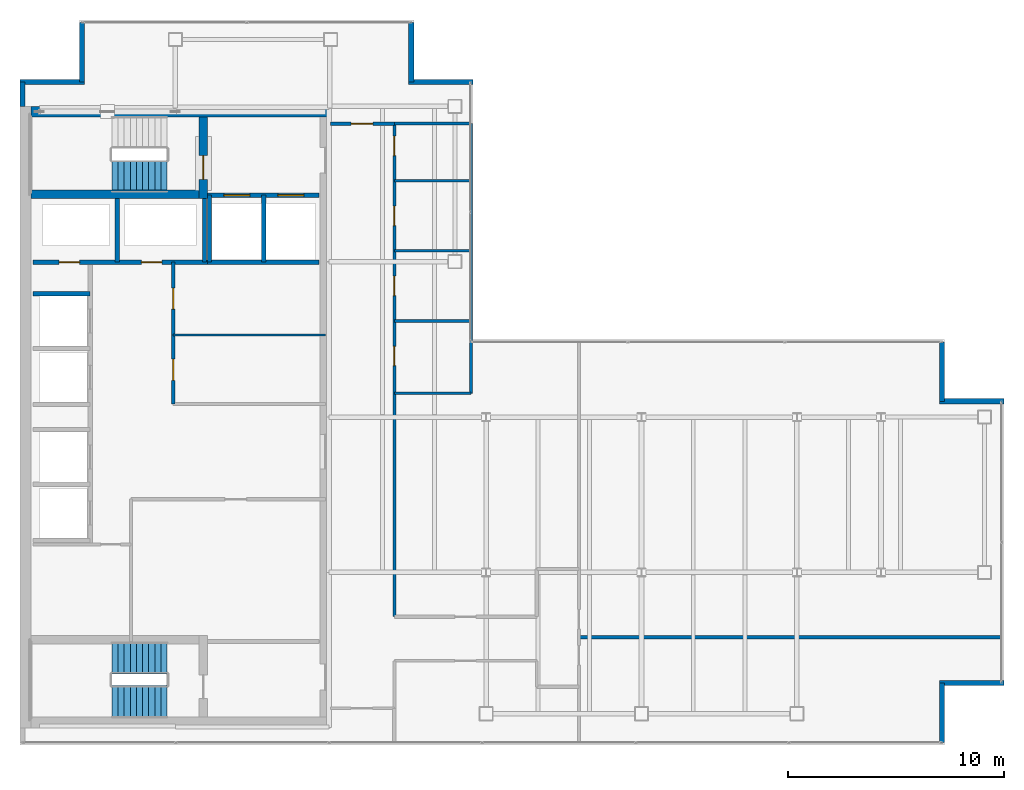
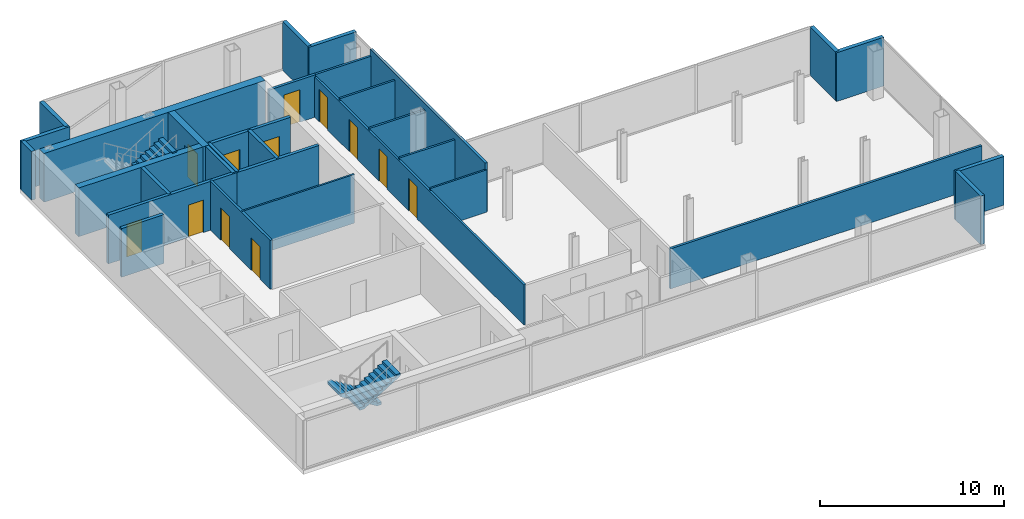
# One storey, part 22 of 24: 31 walls, 12 doors, 3 stair flights, 12 openings, 2 elements without a shape of their own.
"""IFC4 building model written with IfcOpenShell, lengths in metres."""

from ifc_helpers import new_model, si_unit, direction, frame, frame_2d, origin, place, context, subcontext, project, spatial, polyline, rectangle, outline, extrude, material, layer, layer_set, type_object, element, fill, aggregate, save


model = new_model("IFC4")

# Units and contexts
model_context = context("Model", 3, precision=1e-05, world=origin(), true_north=direction((0.0, 1.0)))
body_context = subcontext(model_context, "Body", "Model", "MODEL_VIEW")
ifc_project = project(units=[si_unit("LENGTHUNIT", "METRE"), si_unit("AREAUNIT", "SQUARE_METRE"), si_unit("VOLUMEUNIT", "CUBIC_METRE"), si_unit("PLANEANGLEUNIT", "RADIAN"), si_unit("MASSUNIT", "GRAM", prefix="KILO")], contexts=[model_context])

# Site, building, storey
site_placement = place(None, origin())
site = spatial("IfcSite", under=ifc_project, at=site_placement, CompositionType="ELEMENT")
building_placement = place(site_placement, origin())
building = spatial("IfcBuilding", under=site, at=building_placement, Name="Cobrela Telecom Tower", CompositionType="ELEMENT")
storey_placement = place(building_placement, frame((0.0, 0.0, 248.14990234375)))
storey = spatial("IfcBuildingStorey", under=building, at=storey_placement, Name="L64", CompositionType="ELEMENT", Elevation=248.14990234375)

# Walls
ifc_material_1 = material(Name="Concrete C40/50", Category="concrete")
ifc_layer_1 = layer(ifc_material_1, 0.5)
ifc_layer_set_1 = layer_set([ifc_layer_1], Name="Concrete C40/50")
wall_type_1 = type_object("IfcWallType", Name="WALL-CORE-C40-500", PredefinedType="SHEAR", material=ifc_layer_set_1)
wall_1_placement = place(storey_placement, frame((0.5, 35.75, 0.0), z_axis=(0.0, 0.0, 1.0), x_axis=(1.0, 0.0, 0.0)))
element("IfcWall", 1, at=wall_1_placement, inside=storey, type_object=wall_type_1, Name="L64 North Core Shear Wall", PredefinedType="SHEAR", context=body_context, shape_type="SweptSolid", body=[
    extrude(rectangle(XDim=13.89990234375, YDim=0.5, at=frame_2d((6.949951171875, 0.0))), origin(), (0.0, 0.0, 1.0), 3.239990234375),
])
ifc_layer_2 = layer(ifc_material_1, 0.239990234375)
ifc_layer_set_2 = layer_set([ifc_layer_2], Name="Concrete C40/50")
wall_type_2 = type_object("IfcWallType", Name="WALL-EXT-300", PredefinedType="STANDARD", material=ifc_layer_set_2)
wall_2_placement = place(storey_placement, frame((0.1201171875, 36.0, 0.0), z_axis=(0.0, 0.0, 1.0), x_axis=(0.0, 1.0, 0.0)))
element("IfcWall", 2, at=wall_2_placement, inside=storey, type_object=wall_type_2, Name="L64 Insulated Facade Wall 02", PredefinedType="STANDARD", context=body_context, shape_type="SweptSolid", body=[
    extrude(rectangle(XDim=1.1298828125, YDim=0.239990234375, at=frame_2d((0.56494140625, 0.0))), origin(), (0.0, 0.0, 1.0), 3.239990234375),
])
wall_3_placement = place(storey_placement, frame((0.0, 37.1298828125, 0.0), z_axis=(0.0, 0.0, 1.0), x_axis=(1.0, 0.0, 0.0)))
element("IfcWall", 3, at=wall_3_placement, inside=storey, type_object=wall_type_2, Name="L64 Insulated Facade Wall 03", PredefinedType="STANDARD", context=body_context, shape_type="SweptSolid", body=[
    extrude(rectangle(XDim=2.989990234375, YDim=0.239990234375, at=frame_2d((1.4951171875, 0.0))), origin(), (0.0, 0.0, 1.0), 3.239990234375),
])
for number, where, z_axis, x_axis, name in (
    (4, (2.8701171875, 37.1298828125, 0.0), (0.0, 0.0, 1.0), (0.0, 1.0, 0.0), "L64 Insulated Facade Wall 04"),
    (5, (18.1298828125, 39.8798828125, 0.0), (0.0, 0.0, 1.0), (0.0, -1.0, 0.0), "L64 Insulated Facade Wall 06"),
):
    element("IfcWall", number, at=place(storey_placement, frame(where, z_axis=z_axis, x_axis=x_axis)), inside=storey, type_object=wall_type_2, Name=name, PredefinedType="STANDARD", context=body_context, shape_type="SweptSolid", body=[
        extrude(rectangle(XDim=2.75, YDim=0.239990234375, at=frame_2d((1.375, 0.0))), origin(), (0.0, 0.0, 1.0), 3.239990234375),
    ])
wall_4_placement = place(storey_placement, frame((18.010009765625, 37.1298828125, 0.0), z_axis=(0.0, 0.0, 1.0), x_axis=(1.0, 0.0, 0.0)))
element("IfcWall", 6, at=wall_4_placement, inside=storey, type_object=wall_type_2, Name="L64 Insulated Facade Wall 07", PredefinedType="STANDARD", context=body_context, shape_type="SweptSolid", body=[
    extrude(rectangle(XDim=2.989990234375, YDim=0.239990234375, at=frame_2d((1.4951171875, 0.0))), origin(), (0.0, 0.0, 1.0), 3.239990234375),
])
wall_5_placement = place(storey_placement, frame((42.72998046875, 25.080078125, 0.0), z_axis=(0.0, 0.0, 1.0), x_axis=(0.0, -1.0, 0.0)))
element("IfcWall", 7, at=wall_5_placement, inside=storey, type_object=wall_type_2, Name="L64 Insulated Facade Wall 10", PredefinedType="STANDARD", context=body_context, shape_type="SweptSolid", body=[
    extrude(rectangle(XDim=2.75, YDim=0.239990234375, at=frame_2d((1.375, 0.0))), origin(), (0.0, 0.0, 1.0), 3.239990234375),
])
for number, where, z_axis, x_axis, name in (
    (8, (42.610107421875, 22.330078125, 0.0), (0.0, 0.0, 1.0), (1.0, 0.0, 0.0), "L64 Insulated Facade Wall 11"),
    (9, (45.60009765625, 9.27001953125, 0.0), (0.0, 0.0, 1.0), (-1.0, 0.0, 0.0), "L64 Insulated Facade Wall 13"),
):
    element("IfcWall", number, at=place(storey_placement, frame(where, z_axis=z_axis, x_axis=x_axis)), inside=storey, type_object=wall_type_2, Name=name, PredefinedType="STANDARD", context=body_context, shape_type="SweptSolid", body=[
        extrude(rectangle(XDim=2.989990234375, YDim=0.239990234375, at=frame_2d((1.4951171875, 0.0))), origin(), (0.0, 0.0, 1.0), 3.239990234375),
    ])
wall_6_placement = place(storey_placement, frame((42.72998046875, 9.27001953125, 0.0), z_axis=(0.0, 0.0, 1.0), x_axis=(0.0, -1.0, 0.0)))
element("IfcWall", 10, at=wall_6_placement, inside=storey, type_object=wall_type_2, Name="L64 Insulated Facade Wall 14", PredefinedType="STANDARD", context=body_context, shape_type="SweptSolid", body=[
    extrude(rectangle(XDim=2.75, YDim=0.239990234375, at=frame_2d((1.375, 0.0))), origin(), (0.0, 0.0, 1.0), 3.239990234375),
])
ifc_material_2 = material(Name="Fire-Rated Gypsum Plasterboard")
ifc_layer_3 = layer(ifc_material_2, 0.110107421875)
ifc_layer_set_3 = layer_set([ifc_layer_3], Name="Fire-Rated Gypsum Plasterboard")
wall_type_3 = type_object("IfcWallType", Name="WALL-PART-110", PredefinedType="PARTITIONING", material=ifc_layer_set_3)
wall_7_placement = place(storey_placement, frame((7.10009765625, 25.39990234375, 0.0), z_axis=(0.0, 0.0, 1.0), x_axis=(1.0, 0.0, 0.0)))
element("IfcWall", 11, at=wall_7_placement, inside=storey, type_object=wall_type_3, Name="L64 Interior Partition CW-RECL-H", PredefinedType="PARTITIONING", context=body_context, shape_type="SweptSolid", body=[
    extrude(rectangle(XDim=7.0498046875, YDim=0.110107421875, at=frame_2d((3.52490234375, 0.0))), origin(), (0.0, 0.0, 1.0), 3.239990234375),
])
wall_8_placement = place(storey_placement, frame((17.35009765625, 22.699951171875, 0.0), z_axis=(0.0, 0.0, 1.0), x_axis=(1.0, 0.0, 0.0)))
element("IfcWall", 12, at=wall_8_placement, inside=storey, type_object=wall_type_3, Name="L64 Interior Partition W-WC-S", PredefinedType="PARTITIONING", context=body_context, shape_type="SweptSolid", body=[
    extrude(rectangle(XDim=3.5498046875, YDim=0.110107421875, at=frame_2d((1.77490234375, 0.0))), origin(), (0.0, 0.0, 1.0), 2.80810546875),
])
ifc_layer_4 = layer(ifc_material_2, 0.125)
ifc_layer_set_4 = layer_set([ifc_layer_4], Name="Fire-Rated Gypsum Plasterboard")
wall_type_4 = type_object("IfcWallType", Name="WALL-PART-125", PredefinedType="PARTITIONING", material=ifc_layer_set_4)
for number, where, z_axis, x_axis, name in (
    (13, (17.35009765625, 26.050048828125, 0.0), (0.0, 0.0, 1.0), (1.0, 0.0, 0.0), "L64 Interior Partition W-WCD-1"),
    (14, (17.35009765625, 29.300048828125, 0.0), (0.0, 0.0, 1.0), (1.0, 0.0, 0.0), "L64 Interior Partition W-WCD-2"),
    (15, (17.35009765625, 32.550048828125, 0.0), (0.0, 0.0, 1.0), (1.0, 0.0, 0.0), "L64 Interior Partition W-WCD-3"),
):
    element("IfcWall", number, at=place(storey_placement, frame(where, z_axis=z_axis, x_axis=x_axis)), inside=storey, type_object=wall_type_4, Name=name, PredefinedType="PARTITIONING", context=body_context, shape_type="SweptSolid", body=[
        extrude(rectangle(XDim=3.5498046875, YDim=0.125, at=frame_2d((1.77490234375, 0.0))), origin(), (0.0, 0.0, 1.0), 2.80810546875),
    ])

# Wall, openings, doors
ifc_layer_5 = layer(ifc_material_2, 0.135009765625)
ifc_layer_set_5 = layer_set([ifc_layer_5], Name="Fire-Rated Gypsum Plasterboard")
wall_type_5 = type_object("IfcWallType", Name="WALL-PART-135", PredefinedType="PARTITIONING", material=ifc_layer_set_5)
wall_9_placement = place(storey_placement, frame((17.35009765625, 12.35009765625, 0.0), z_axis=(0.0, 0.0, 1.0), x_axis=(0.0, 1.0, 0.0)))
wall_9 = element("IfcWall", 16, at=wall_9_placement, inside=storey, type_object=wall_type_5, Name="L64 Interior Partition W-C-E2", PredefinedType="PARTITIONING", context=body_context, shape_type="SweptSolid", body=[
    extrude(rectangle(XDim=22.849853515625, YDim=0.135009765625, at=frame_2d((11.4248046875, 0.0))), origin(), (0.0, 0.0, 1.0), 2.676025390625),
])
opening_1_placement = place(wall_9_placement, frame((11.6298828125, 0.0, 0.0)))
opening_1 = element("IfcOpeningElement", 17, at=opening_1_placement, cuts=wall_9, Name="Opening DR-41", PredefinedType="OPENING", context=body_context, shape_type="SweptSolid", body=[
    extrude(rectangle(XDim=0.89990234375, YDim=2.14990234375, at=frame_2d((0.449951171875, 1.074951171875))), frame((0.0, 0.07958984375, 0.0), z_axis=(0.0, -1.0, 0.0), x_axis=(1.0, 0.0, 0.0)), (0.0, 0.0, 1.0), 0.158935546875),
])
opening_2_placement = place(wall_9_placement, frame((14.8798828125, 0.0, 0.0)))
opening_2 = element("IfcOpeningElement", 18, at=opening_2_placement, cuts=wall_9, Name="Opening DR-41", PredefinedType="OPENING", context=body_context, shape_type="SweptSolid", body=[
    extrude(rectangle(XDim=0.89990234375, YDim=2.14990234375, at=frame_2d((0.449951171875, 1.074951171875))), frame((0.0, 0.07958984375, 0.0), z_axis=(0.0, -1.0, 0.0), x_axis=(1.0, 0.0, 0.0)), (0.0, 0.0, 1.0), 0.158935546875),
])
opening_3_placement = place(wall_9_placement, frame((18.1201171875, 0.0, 0.0)))
opening_3 = element("IfcOpeningElement", 19, at=opening_3_placement, cuts=wall_9, Name="Opening DR-41", PredefinedType="OPENING", context=body_context, shape_type="SweptSolid", body=[
    extrude(rectangle(XDim=0.89990234375, YDim=2.14990234375, at=frame_2d((0.449951171875, 1.074951171875))), frame((0.0, 0.07958984375, 0.0), z_axis=(0.0, -1.0, 0.0), x_axis=(1.0, 0.0, 0.0)), (0.0, 0.0, 1.0), 0.158935546875),
])
opening_4_placement = place(wall_9_placement, frame((21.3701171875, 0.0, 0.0)))
opening_4 = element("IfcOpeningElement", 20, at=opening_4_placement, cuts=wall_9, Name="Opening DR-41", PredefinedType="OPENING", context=body_context, shape_type="SweptSolid", body=[
    extrude(rectangle(XDim=0.89990234375, YDim=2.14990234375, at=frame_2d((0.449951171875, 1.074951171875))), frame((0.0, 0.07958984375, 0.0), z_axis=(0.0, -1.0, 0.0), x_axis=(1.0, 0.0, 0.0)), (0.0, 0.0, 1.0), 0.158935546875),
])
ifc_material_3 = material(Name="Solid Engineered Oak Timber", Category="wood")
door_type_1 = type_object("IfcDoorType", Name="DOOR-INT-900", OperationType="SINGLE_SWING_LEFT", PredefinedType="DOOR", material=ifc_material_3)
door_1_placement = place(opening_1_placement, origin())
door_1 = element("IfcDoor", 21, at=door_1_placement, inside=storey, type_object=door_type_1, Name="L64 Door DR-41", OperationType="SINGLE_SWING_LEFT", OverallHeight=2.14990234375, OverallWidth=0.89990234375, PredefinedType="DOOR", context=body_context, shape_type="SweptSolid", body=[
    extrude(rectangle(XDim=0.89990234375, YDim=2.14990234375, at=frame_2d((0.449951171875, 1.074951171875))), frame((0.0, 0.02490234375, 0.0), z_axis=(0.0, -1.0, 0.0), x_axis=(1.0, 0.0, 0.0)), (0.0, 0.0, 1.0), 0.050048828125),
])
fill(opening_1, door_1)
door_2_placement = place(opening_2_placement, origin())
door_2 = element("IfcDoor", 22, at=door_2_placement, inside=storey, type_object=door_type_1, Name="L64 Door DR-41", OperationType="SINGLE_SWING_RIGHT", OverallHeight=2.14990234375, OverallWidth=0.89990234375, PredefinedType="DOOR", context=body_context, shape_type="SweptSolid", body=[
    extrude(rectangle(XDim=0.89990234375, YDim=2.14990234375, at=frame_2d((0.449951171875, 1.074951171875))), frame((0.0, 0.02490234375, 0.0), z_axis=(0.0, -1.0, 0.0), x_axis=(1.0, 0.0, 0.0)), (0.0, 0.0, 1.0), 0.050048828125),
])
fill(opening_2, door_2)
door_3_placement = place(opening_3_placement, origin())
door_3 = element("IfcDoor", 23, at=door_3_placement, inside=storey, type_object=door_type_1, Name="L64 Door DR-41", OperationType="SINGLE_SWING_LEFT", OverallHeight=2.14990234375, OverallWidth=0.89990234375, PredefinedType="DOOR", context=body_context, shape_type="SweptSolid", body=[
    extrude(rectangle(XDim=0.89990234375, YDim=2.14990234375, at=frame_2d((0.449951171875, 1.074951171875))), frame((0.0, 0.02490234375, 0.0), z_axis=(0.0, -1.0, 0.0), x_axis=(1.0, 0.0, 0.0)), (0.0, 0.0, 1.0), 0.050048828125),
])
fill(opening_3, door_3)
door_4_placement = place(opening_4_placement, origin())
door_4 = element("IfcDoor", 24, at=door_4_placement, inside=storey, type_object=door_type_1, Name="L64 Door DR-41", OperationType="SINGLE_SWING_RIGHT", OverallHeight=2.14990234375, OverallWidth=0.89990234375, PredefinedType="DOOR", context=body_context, shape_type="SweptSolid", body=[
    extrude(rectangle(XDim=0.89990234375, YDim=2.14990234375, at=frame_2d((0.449951171875, 1.074951171875))), frame((0.0, 0.02490234375, 0.0), z_axis=(0.0, -1.0, 0.0), x_axis=(1.0, 0.0, 0.0)), (0.0, 0.0, 1.0), 0.050048828125),
])
fill(opening_4, door_4)

# Wall
wall_10_placement = place(storey_placement, frame((17.35009765625, 35.199951171875, 0.0), z_axis=(0.0, 0.0, 1.0), x_axis=(1.0, 0.0, 0.0)))
element("IfcWall", 25, at=wall_10_placement, inside=storey, type_object=wall_type_5, Name="L64 Interior Partition W-NW-S", PredefinedType="PARTITIONING", context=body_context, shape_type="SweptSolid", body=[
    extrude(rectangle(XDim=3.52978515625, YDim=0.135009765625, at=frame_2d((1.764892578125, 0.0))), origin(), (0.0, 0.0, 1.0), 2.80810546875),
])

# Wall, openings, doors
ifc_layer_6 = layer(ifc_material_2, 0.14990234375)
ifc_layer_set_6 = layer_set([ifc_layer_6], Name="Fire-Rated Gypsum Plasterboard")
wall_type_6 = type_object("IfcWallType", Name="WALL-PART-150", PredefinedType="PARTITIONING", material=ifc_layer_set_6)
wall_11_placement = place(storey_placement, frame((7.10009765625, 22.199951171875, 0.0), z_axis=(0.0, 0.0, 1.0), x_axis=(0.0, 1.0, 0.0)))
wall_11 = element("IfcWall", 26, at=wall_11_placement, inside=storey, type_object=wall_type_6, Name="L64 Interior Partition CW-RECL-W", PredefinedType="PARTITIONING", context=body_context, shape_type="SweptSolid", body=[
    extrude(rectangle(XDim=6.580078125, YDim=0.14990234375, at=frame_2d((3.2900390625, 0.0))), origin(), (0.0, 0.0, 1.0), 3.239990234375),
])
opening_5_placement = place(wall_11_placement, frame((1.10009765625, 0.0, 0.0)))
opening_5 = element("IfcOpeningElement", 27, at=opening_5_placement, cuts=wall_11, Name="Opening DR-17", PredefinedType="OPENING", context=body_context, shape_type="SweptSolid", body=[
    extrude(rectangle(XDim=0.97998046875, YDim=2.14990234375, at=frame_2d((0.489990234375, 1.074951171875))), frame((0.0, 0.0869140625, 0.0), z_axis=(0.0, -1.0, 0.0), x_axis=(1.0, 0.0, 0.0)), (0.0, 0.0, 1.0), 0.173828125),
])
opening_6_placement = place(wall_11_placement, frame((4.39990234375, 0.0, 0.0)))
opening_6 = element("IfcOpeningElement", 28, at=opening_6_placement, cuts=wall_11, Name="Opening DR-17", PredefinedType="OPENING", context=body_context, shape_type="SweptSolid", body=[
    extrude(rectangle(XDim=0.97998046875, YDim=2.14990234375, at=frame_2d((0.489990234375, 1.074951171875))), frame((0.0, 0.0869140625, 0.0), z_axis=(0.0, -1.0, 0.0), x_axis=(1.0, 0.0, 0.0)), (0.0, 0.0, 1.0), 0.173828125),
])
door_type_2 = type_object("IfcDoorType", Name="DOOR-INT-980", OperationType="SINGLE_SWING_LEFT", PredefinedType="DOOR", material=ifc_material_3)
door_5_placement = place(opening_5_placement, origin())
door_5 = element("IfcDoor", 29, at=door_5_placement, inside=storey, type_object=door_type_2, Name="L64 Door DR-17", OperationType="SINGLE_SWING_RIGHT", OverallHeight=2.14990234375, OverallWidth=0.97998046875, PredefinedType="DOOR", context=body_context, shape_type="SweptSolid", body=[
    extrude(rectangle(XDim=0.97998046875, YDim=2.14990234375, at=frame_2d((0.489990234375, 1.074951171875))), frame((0.0, 0.02490234375, 0.0), z_axis=(0.0, -1.0, 0.0), x_axis=(1.0, 0.0, 0.0)), (0.0, 0.0, 1.0), 0.050048828125),
])
fill(opening_5, door_5)
door_6_placement = place(opening_6_placement, origin())
door_6 = element("IfcDoor", 30, at=door_6_placement, inside=storey, type_object=door_type_2, Name="L64 Door DR-17", OperationType="SINGLE_SWING_LEFT", OverallHeight=2.14990234375, OverallWidth=0.97998046875, PredefinedType="DOOR", context=body_context, shape_type="SweptSolid", body=[
    extrude(rectangle(XDim=0.97998046875, YDim=2.14990234375, at=frame_2d((0.489990234375, 1.074951171875))), frame((0.0, 0.02490234375, 0.0), z_axis=(0.0, -1.0, 0.0), x_axis=(1.0, 0.0, 0.0)), (0.0, 0.0, 1.0), 0.050048828125),
])
fill(opening_6, door_6)

# Wall
wall_12_placement = place(storey_placement, frame((25.89990234375, 11.39990234375, 0.0), z_axis=(0.0, 0.0, 1.0), x_axis=(1.0, 0.0, 0.0)))
element("IfcWall", 31, at=wall_12_placement, inside=storey, type_object=wall_type_6, Name="L64 Interior Partition W-FE-H", PredefinedType="PARTITIONING", context=body_context, shape_type="SweptSolid", body=[
    extrude(rectangle(XDim=19.580078125, YDim=0.14990234375, at=frame_2d((9.7900390625, 0.0))), origin(), (0.0, 0.0, 1.0), 2.676025390625),
])

# Wall, opening, door
ifc_layer_7 = layer(ifc_material_2, 0.159912109375)
ifc_layer_set_7 = layer_set([ifc_layer_7], Name="Fire-Rated Gypsum Plasterboard")
wall_type_7 = type_object("IfcWallType", Name="WALL-PART-160", PredefinedType="PARTITIONING", material=ifc_layer_set_7)
wall_13_placement = place(storey_placement, frame((14.39990234375, 35.199951171875, 0.0), z_axis=(0.0, 0.0, 1.0), x_axis=(1.0, 0.0, 0.0)))
wall_13 = element("IfcWall", 32, at=wall_13_placement, inside=storey, type_object=wall_type_7, Name="L64 Interior Partition W-C-N0", PredefinedType="PARTITIONING", context=body_context, shape_type="SweptSolid", body=[
    extrude(rectangle(XDim=2.9501953125, YDim=0.159912109375, at=frame_2d((1.47509765625, 0.0))), origin(), (0.0, 0.0, 1.0), 2.80810546875),
])
opening_7_placement = place(wall_13_placement, frame((0.949951171875, 0.0, 0.0)))
opening_7 = element("IfcOpeningElement", 33, at=opening_7_placement, cuts=wall_13, Name="Opening DR-31", PredefinedType="OPENING", context=body_context, shape_type="SweptSolid", body=[
    extrude(rectangle(XDim=1.0, YDim=2.14990234375, at=frame_2d((0.5, 1.074951171875))), frame((0.0, 0.091796875, 0.0), z_axis=(0.0, -1.0, 0.0), x_axis=(1.0, 0.0, 0.0)), (0.0, 0.0, 1.0), 0.183837890625),
])
door_type_3 = type_object("IfcDoorType", Name="DOOR-INT-1000", OperationType="SINGLE_SWING_LEFT", PredefinedType="DOOR", material=ifc_material_3)
door_7_placement = place(opening_7_placement, origin())
door_7 = element("IfcDoor", 34, at=door_7_placement, inside=storey, type_object=door_type_3, Name="L64 Door DR-31", OperationType="SINGLE_SWING_LEFT", OverallHeight=2.14990234375, OverallWidth=1.0, PredefinedType="DOOR", context=body_context, shape_type="SweptSolid", body=[
    extrude(rectangle(XDim=1.0, YDim=2.14990234375, at=frame_2d((0.5, 1.074951171875))), frame((0.0, 0.02490234375, 0.0), z_axis=(0.0, -1.0, 0.0), x_axis=(1.0, 0.0, 0.0)), (0.0, 0.0, 1.0), 0.050048828125),
])
fill(opening_7, door_7)

# Wall
wall_14_placement = place(storey_placement, frame((20.89990234375, 22.699951171875, 0.0), z_axis=(0.0, 0.0, 1.0), x_axis=(0.0, 1.0, 0.0)))
element("IfcWall", 35, at=wall_14_placement, inside=storey, type_object=wall_type_7, Name="L64 Interior Partition W-WC-E", PredefinedType="PARTITIONING", context=body_context, shape_type="SweptSolid", body=[
    extrude(rectangle(XDim=12.5, YDim=0.159912109375, at=frame_2d((6.25, 0.0))), origin(), (0.0, 0.0, 1.0), 3.239990234375),
])

# Wall, openings, doors
ifc_layer_8 = layer(ifc_material_2, 0.199951171875)
ifc_layer_set_8 = layer_set([ifc_layer_8], Name="Fire-Rated Gypsum Plasterboard")
wall_type_8 = type_object("IfcWallType", Name="WALL-SHAFT-200", PredefinedType="PARTITIONING", material=ifc_layer_set_8)
wall_15_placement = place(storey_placement, frame((8.699951171875, 31.8798828125, 0.0), z_axis=(0.0, 0.0, 1.0), x_axis=(1.0, 0.0, 0.0)))
wall_15 = element("IfcWall", 36, at=wall_15_placement, inside=storey, type_object=wall_type_8, Name="L64 Shaft Enclosure CW-FFL-S", PredefinedType="PARTITIONING", context=body_context, shape_type="SweptSolid", body=[
    extrude(rectangle(XDim=5.150146484375, YDim=0.199951171875, at=frame_2d((2.5751953125, 0.0))), origin(), (0.0, 0.0, 1.0), 3.239990234375),
])
opening_8_placement = place(wall_15_placement, frame((0.75, 0.0, 0.0)))
opening_8 = element("IfcOpeningElement", 37, at=opening_8_placement, cuts=wall_15, Name="Opening LD-2", PredefinedType="OPENING", context=body_context, shape_type="SweptSolid", body=[
    extrude(rectangle(XDim=1.199951171875, YDim=2.199951171875, at=frame_2d((0.60009765625, 1.10009765625))), frame((0.0, 0.11181640625, 0.0), z_axis=(0.0, -1.0, 0.0), x_axis=(1.0, 0.0, 0.0)), (0.0, 0.0, 1.0), 0.223876953125),
])
opening_9_placement = place(wall_15_placement, frame((3.25, 0.0, 0.0)))
opening_9 = element("IfcOpeningElement", 38, at=opening_9_placement, cuts=wall_15, Name="Opening LD-2", PredefinedType="OPENING", context=body_context, shape_type="SweptSolid", body=[
    extrude(rectangle(XDim=1.199951171875, YDim=2.199951171875, at=frame_2d((0.60009765625, 1.10009765625))), frame((0.0, 0.11181640625, 0.0), z_axis=(0.0, -1.0, 0.0), x_axis=(1.0, 0.0, 0.0)), (0.0, 0.0, 1.0), 0.223876953125),
])
ifc_material_4 = material(Name="Steel ASTM A36", Category="steel")
door_type_4 = type_object("IfcDoorType", Name="DOOR-LD-FFL", OperationType="SINGLE_SWING_LEFT", PredefinedType="DOOR", material=ifc_material_4)
door_8_placement = place(opening_8_placement, origin())
door_8 = element("IfcDoor", 39, at=door_8_placement, inside=storey, type_object=door_type_4, Name="L64 Lift Landing Door LD-2", OperationType="DOUBLE_DOOR_SLIDING", OverallHeight=2.199951171875, OverallWidth=1.199951171875, PredefinedType="DOOR", context=body_context, shape_type="SweptSolid", body=[
    extrude(rectangle(XDim=1.199951171875, YDim=2.199951171875, at=frame_2d((0.60009765625, 1.10009765625))), frame((0.0, 0.02490234375, 0.0), z_axis=(0.0, -1.0, 0.0), x_axis=(1.0, 0.0, 0.0)), (0.0, 0.0, 1.0), 0.050048828125),
])
fill(opening_8, door_8)
door_9_placement = place(opening_9_placement, origin())
door_9 = element("IfcDoor", 40, at=door_9_placement, inside=storey, type_object=door_type_4, Name="L64 Lift Landing Door LD-2", OperationType="DOUBLE_DOOR_SLIDING", OverallHeight=2.199951171875, OverallWidth=1.199951171875, PredefinedType="DOOR", context=body_context, shape_type="SweptSolid", body=[
    extrude(rectangle(XDim=1.199951171875, YDim=2.199951171875, at=frame_2d((0.60009765625, 1.10009765625))), frame((0.0, 0.02490234375, 0.0), z_axis=(0.0, -1.0, 0.0), x_axis=(1.0, 0.0, 0.0)), (0.0, 0.0, 1.0), 0.050048828125),
])
fill(opening_9, door_9)

# Walls
wall_16_placement = place(storey_placement, frame((8.699951171875, 28.780029296875, 0.0), z_axis=(0.0, 0.0, 1.0), x_axis=(1.0, 0.0, 0.0)))
element("IfcWall", 41, at=wall_16_placement, inside=storey, type_object=wall_type_8, Name="L64 Shaft Enclosure CW-FFL-S2", PredefinedType="PARTITIONING", context=body_context, shape_type="SweptSolid", body=[
    extrude(rectangle(XDim=5.150146484375, YDim=0.199951171875, at=frame_2d((2.5751953125, 0.0))), origin(), (0.0, 0.0, 1.0), 3.239990234375),
])
for number, where, z_axis, x_axis, name in (
    (42, (8.780029296875, 28.780029296875, 0.0), (0.0, 0.0, 1.0), (0.0, 1.0, 0.0), "L64 Shaft Enclosure CW-FFL-W"),
    (43, (11.300048828125, 28.780029296875, 0.0), (0.0, 0.0, 1.0), (0.0, 1.0, 0.0), "L64 Shaft Enclosure CW-FFL-M"),
):
    element("IfcWall", number, at=place(storey_placement, frame(where, z_axis=z_axis, x_axis=x_axis)), inside=storey, type_object=wall_type_8, Name=name, PredefinedType="PARTITIONING", context=body_context, shape_type="SweptSolid", body=[
        extrude(rectangle(XDim=3.099853515625, YDim=0.199951171875, at=frame_2d((1.5498046875, 0.0))), origin(), (0.0, 0.0, 1.0), 3.239990234375),
    ])

# Wall, openings, doors
wall_17_placement = place(storey_placement, frame((0.60009765625, 28.780029296875, 0.0), z_axis=(0.0, 0.0, 1.0), x_axis=(1.0, 0.0, 0.0)))
wall_17 = element("IfcWall", 44, at=wall_17_placement, inside=storey, type_object=wall_type_8, Name="L64 Shaft Enclosure CW-RIS-S", PredefinedType="PARTITIONING", context=body_context, shape_type="SweptSolid", body=[
    extrude(rectangle(XDim=8.179931640625, YDim=0.199951171875, at=frame_2d((4.08984375, 0.0))), origin(), (0.0, 0.0, 1.0), 3.239990234375),
])
opening_10_placement = place(wall_17_placement, frame((1.2099609375, 0.0, 0.0)))
opening_10 = element("IfcOpeningElement", 45, at=opening_10_placement, cuts=wall_17, Name="Opening DR-65", PredefinedType="OPENING", context=body_context, shape_type="SweptSolid", body=[
    extrude(rectangle(XDim=0.949951171875, YDim=2.14990234375, at=frame_2d((0.47509765625, 1.074951171875))), frame((0.0, 0.11181640625, 0.0), z_axis=(0.0, -1.0, 0.0), x_axis=(1.0, 0.0, 0.0)), (0.0, 0.0, 1.0), 0.223876953125),
])
opening_11_placement = place(wall_17_placement, frame((5.030029296875, 0.0, 0.0)))
opening_11 = element("IfcOpeningElement", 46, at=opening_11_placement, cuts=wall_17, Name="Opening DR-65", PredefinedType="OPENING", context=body_context, shape_type="SweptSolid", body=[
    extrude(rectangle(XDim=0.949951171875, YDim=2.14990234375, at=frame_2d((0.47509765625, 1.074951171875))), frame((0.0, 0.11181640625, 0.0), z_axis=(0.0, -1.0, 0.0), x_axis=(1.0, 0.0, 0.0)), (0.0, 0.0, 1.0), 0.223876953125),
])
door_type_5 = type_object("IfcDoorType", Name="DOOR-FD60-950", OperationType="SINGLE_SWING_LEFT", PredefinedType="DOOR", material=ifc_material_4)
door_10_placement = place(opening_10_placement, origin())
door_10 = element("IfcDoor", 47, at=door_10_placement, inside=storey, type_object=door_type_5, Name="L64 Door DR-65", OperationType="SINGLE_SWING_LEFT", OverallHeight=2.14990234375, OverallWidth=0.949951171875, PredefinedType="DOOR", context=body_context, shape_type="SweptSolid", body=[
    extrude(rectangle(XDim=0.949951171875, YDim=2.14990234375, at=frame_2d((0.47509765625, 1.074951171875))), frame((0.0, 0.02490234375, 0.0), z_axis=(0.0, -1.0, 0.0), x_axis=(1.0, 0.0, 0.0)), (0.0, 0.0, 1.0), 0.050048828125),
])
fill(opening_10, door_10)
door_11_placement = place(opening_11_placement, origin())
door_11 = element("IfcDoor", 48, at=door_11_placement, inside=storey, type_object=door_type_5, Name="L64 Door DR-65", OperationType="SINGLE_SWING_RIGHT", OverallHeight=2.14990234375, OverallWidth=0.949951171875, PredefinedType="DOOR", context=body_context, shape_type="SweptSolid", body=[
    extrude(rectangle(XDim=0.949951171875, YDim=2.14990234375, at=frame_2d((0.47509765625, 1.074951171875))), frame((0.0, 0.02490234375, 0.0), z_axis=(0.0, -1.0, 0.0), x_axis=(1.0, 0.0, 0.0)), (0.0, 0.0, 1.0), 0.050048828125),
])
fill(opening_11, door_11)

# Walls
for number, where, z_axis, x_axis, name in (
    (49, (4.5, 28.780029296875, 0.0), (0.0, 0.0, 1.0), (0.0, 1.0, 0.0), "L64 Shaft Enclosure CW-RIS-M"),
    (50, (8.550048828125, 28.780029296875, 0.0), (0.0, 0.0, 1.0), (0.0, 1.0, 0.0), "L64 Shaft Enclosure CW-RIS-E"),
):
    element("IfcWall", number, at=place(storey_placement, frame(where, z_axis=z_axis, x_axis=x_axis)), inside=storey, type_object=wall_type_8, Name=name, PredefinedType="PARTITIONING", context=body_context, shape_type="SweptSolid", body=[
        extrude(rectangle(XDim=2.93994140625, YDim=0.199951171875, at=frame_2d((1.469970703125, 0.0))), origin(), (0.0, 0.0, 1.0), 3.239990234375),
    ])
wall_18_placement = place(storey_placement, frame((0.60009765625, 27.320068359375, 0.0), z_axis=(0.0, 0.0, 1.0), x_axis=(1.0, 0.0, 0.0)))
element("IfcWall", 51, at=wall_18_placement, inside=storey, type_object=wall_type_8, Name="L64 Shaft Enclosure CW-PLH-TOP", PredefinedType="PARTITIONING", context=body_context, shape_type="SweptSolid", body=[
    extrude(rectangle(XDim=2.64990234375, YDim=0.199951171875, at=frame_2d((1.324951171875, 0.0))), origin(), (0.0, 0.0, 1.0), 3.239990234375),
])
ifc_layer_9 = layer(ifc_material_1, 0.39990234375)
ifc_layer_set_9 = layer_set([ifc_layer_9], Name="Concrete C40/50")
wall_type_9 = type_object("IfcWallType", Name="WALL-SHAFT-C40-400", PredefinedType="SHEAR", material=ifc_layer_set_9)
wall_19_placement = place(storey_placement, frame((0.5, 31.919921875, 0.0), z_axis=(0.0, 0.0, 1.0), x_axis=(1.0, 0.0, 0.0)))
element("IfcWall", 52, at=wall_19_placement, inside=storey, type_object=wall_type_9, Name="L64 North Stair Shear Wall", PredefinedType="SHEAR", context=body_context, shape_type="SweptSolid", body=[
    extrude(rectangle(XDim=7.800048828125, YDim=0.39990234375, at=frame_2d((3.89990234375, 0.0))), origin(), (0.0, 0.0, 1.0), 3.239990234375),
])

# Wall, opening, door
wall_20_placement = place(storey_placement, frame((8.5, 31.719970703125, 0.0), z_axis=(0.0, 0.0, 1.0), x_axis=(0.0, 1.0, 0.0)))
wall_20 = element("IfcWall", 53, at=wall_20_placement, inside=storey, type_object=wall_type_9, Name="L64 North Stair Lobby Shear Wall", PredefinedType="SHEAR", context=body_context, shape_type="SweptSolid", body=[
    extrude(rectangle(XDim=3.780029296875, YDim=0.39990234375, at=frame_2d((1.89013671875, 0.0))), origin(), (0.0, 0.0, 1.0), 3.239990234375),
])
opening_12_placement = place(wall_20_placement, frame((0.89990234375, 0.0, 0.0)))
opening_12 = element("IfcOpeningElement", 54, at=opening_12_placement, cuts=wall_20, Name="Opening DR-59", PredefinedType="OPENING", context=body_context, shape_type="SweptSolid", body=[
    extrude(rectangle(XDim=1.10009765625, YDim=2.14990234375, at=frame_2d((0.550048828125, 1.074951171875))), frame((0.0, 0.2119140625, 0.0), z_axis=(0.0, -1.0, 0.0), x_axis=(1.0, 0.0, 0.0)), (0.0, 0.0, 1.0), 0.423828125),
])
door_type_6 = type_object("IfcDoorType", Name="DOOR-FD60-1100", OperationType="SINGLE_SWING_LEFT", PredefinedType="DOOR", material=ifc_material_4)
door_12_placement = place(opening_12_placement, origin())
door_12 = element("IfcDoor", 55, at=door_12_placement, inside=storey, type_object=door_type_6, Name="L64 Door DR-59", OperationType="SINGLE_SWING_RIGHT", OverallHeight=2.14990234375, OverallWidth=1.10009765625, PredefinedType="DOOR", context=body_context, shape_type="SweptSolid", body=[
    extrude(rectangle(XDim=1.10009765625, YDim=2.14990234375, at=frame_2d((0.550048828125, 1.074951171875))), frame((0.0, 0.02490234375, 0.0), z_axis=(0.0, -1.0, 0.0), x_axis=(1.0, 0.0, 0.0)), (0.0, 0.0, 1.0), 0.050048828125),
])
fill(opening_12, door_12)

# Stair, stair flight
stair_type = type_object("IfcStairType", Name="STAIR-CORE", PredefinedType="HALF_TURN_STAIR", material=ifc_material_1)
stair_1_placement = place(storey_placement, origin())
stair_1 = element("IfcStair", 56, at=stair_1_placement, inside=storey, type_object=stair_type, Name="L64 Smokeproof Exit Stair ST1", PredefinedType="HALF_TURN_STAIR")
stair_flight_type = type_object("IfcStairFlightType", Name="FLIGHT-CORE", PredefinedType="STRAIGHT", material=ifc_material_1)
stair_flight_1_placement = place(storey_placement, frame((4.2548828125, 32.75, 1.75), z_axis=(0.0, 0.0, 1.0), x_axis=(1.0, 0.0, 0.0)))
stair_flight_1 = element("IfcStairFlight", 57, at=stair_flight_1_placement, type_object=stair_flight_type, Name="ST1 flight 2", NumberOfRisers=10, NumberOfTreads=9, PredefinedType="STRAIGHT", RiserHeight=0.175, TreadLength=0.285, context=body_context, shape_type="SweptSolid", body=[
    extrude(outline(polyline([(0.0, 0.0), (0.0, 0.175048828125), (0.284912109375, 0.175048828125), (0.284912109375, 0.35009765625), (0.570068359375, 0.35009765625), (0.570068359375, 0.52490234375), (0.85498046875, 0.52490234375), (0.85498046875, 0.699951171875), (1.139892578125, 0.699951171875), (1.139892578125, 0.875), (1.425048828125, 0.875), (1.425048828125, 1.050048828125), (1.7099609375, 1.050048828125), (1.7099609375, 1.22509765625), (1.9951171875, 1.22509765625), (1.9951171875, 1.39990234375), (2.280029296875, 1.39990234375), (2.280029296875, 1.574951171875), (2.56494140625, 1.574951171875), (2.56494140625, 1.75), (2.56494140625, 1.399169921875), (0.286376953125, 0.0), (0.0, 0.0)])), frame((0.0, 0.75, 0.0), z_axis=(0.0, -1.0, 0.0), x_axis=(1.0, 0.0, 0.0)), (0.0, 0.0, 1.0), 1.5),
])
aggregate(stair_1, [stair_flight_1])

# Stair, stair flights
stair_2_placement = place(storey_placement, origin())
stair_2 = element("IfcStair", 58, at=stair_2_placement, inside=storey, type_object=stair_type, Name="L64 Smokeproof Exit Stair ST2", PredefinedType="HALF_TURN_STAIR")
stair_flight_2_placement = place(storey_placement, frame((6.820068359375, 10.449951171875, 0.0), z_axis=(0.0, 0.0, 1.0), x_axis=(-1.0, 0.0, 0.0)))
stair_flight_2 = element("IfcStairFlight", 59, at=stair_flight_2_placement, type_object=stair_flight_type, Name="ST2 flight 1", NumberOfRisers=10, NumberOfTreads=9, PredefinedType="STRAIGHT", RiserHeight=0.175, TreadLength=0.285, context=body_context, shape_type="SweptSolid", body=[
    extrude(outline(polyline([(0.0, 0.0), (0.0, 0.175048828125), (0.284912109375, 0.175048828125), (0.284912109375, 0.35009765625), (0.570068359375, 0.35009765625), (0.570068359375, 0.52490234375), (0.85498046875, 0.52490234375), (0.85498046875, 0.699951171875), (1.139892578125, 0.699951171875), (1.139892578125, 0.875), (1.425048828125, 0.875), (1.425048828125, 1.050048828125), (1.7099609375, 1.050048828125), (1.7099609375, 1.22509765625), (1.9951171875, 1.22509765625), (1.9951171875, 1.39990234375), (2.280029296875, 1.39990234375), (2.280029296875, 1.574951171875), (2.56494140625, 1.574951171875), (2.56494140625, 1.75), (2.56494140625, 1.399169921875), (0.286376953125, 0.0), (0.0, 0.0)])), frame((0.0, 0.75, 0.0), z_axis=(0.0, -1.0, 0.0), x_axis=(1.0, 0.0, 0.0)), (0.0, 0.0, 1.0), 1.5),
])
stair_flight_3_placement = place(storey_placement, frame((4.2548828125, 8.39990234375, 1.75), z_axis=(0.0, 0.0, 1.0), x_axis=(1.0, 0.0, 0.0)))
stair_flight_3 = element("IfcStairFlight", 60, at=stair_flight_3_placement, type_object=stair_flight_type, Name="ST2 flight 2", NumberOfRisers=10, NumberOfTreads=9, PredefinedType="STRAIGHT", RiserHeight=0.175, TreadLength=0.285, context=body_context, shape_type="SweptSolid", body=[
    extrude(outline(polyline([(0.0, 0.0), (0.0, 0.175048828125), (0.284912109375, 0.175048828125), (0.284912109375, 0.35009765625), (0.570068359375, 0.35009765625), (0.570068359375, 0.52490234375), (0.85498046875, 0.52490234375), (0.85498046875, 0.699951171875), (1.139892578125, 0.699951171875), (1.139892578125, 0.875), (1.425048828125, 0.875), (1.425048828125, 1.050048828125), (1.7099609375, 1.050048828125), (1.7099609375, 1.22509765625), (1.9951171875, 1.22509765625), (1.9951171875, 1.39990234375), (2.280029296875, 1.39990234375), (2.280029296875, 1.574951171875), (2.56494140625, 1.574951171875), (2.56494140625, 1.75), (2.56494140625, 1.399169921875), (0.286376953125, 0.0), (0.0, 0.0)])), frame((0.0, 0.75, 0.0), z_axis=(0.0, -1.0, 0.0), x_axis=(1.0, 0.0, 0.0)), (0.0, 0.0, 1.0), 1.5),
])
aggregate(stair_2, [stair_flight_2, stair_flight_3])

save(model, "model.ifc")
